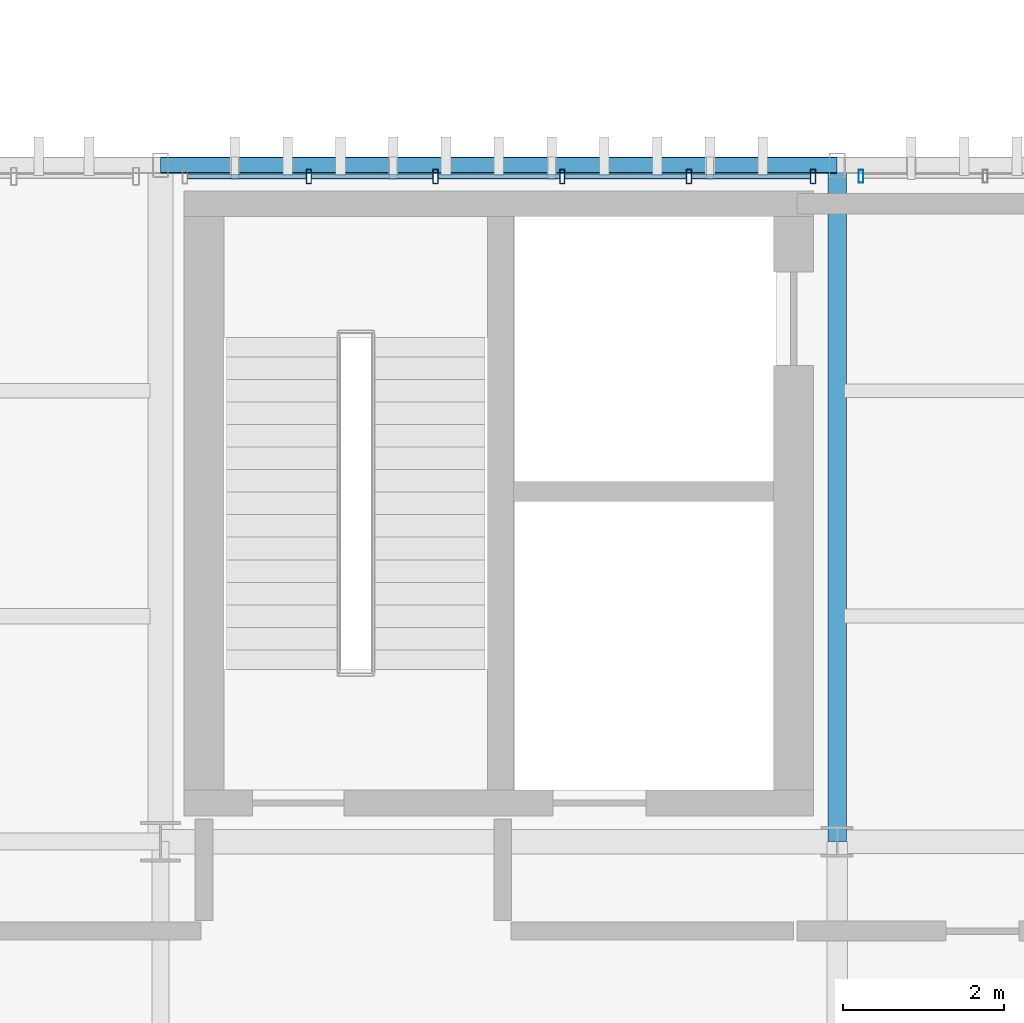
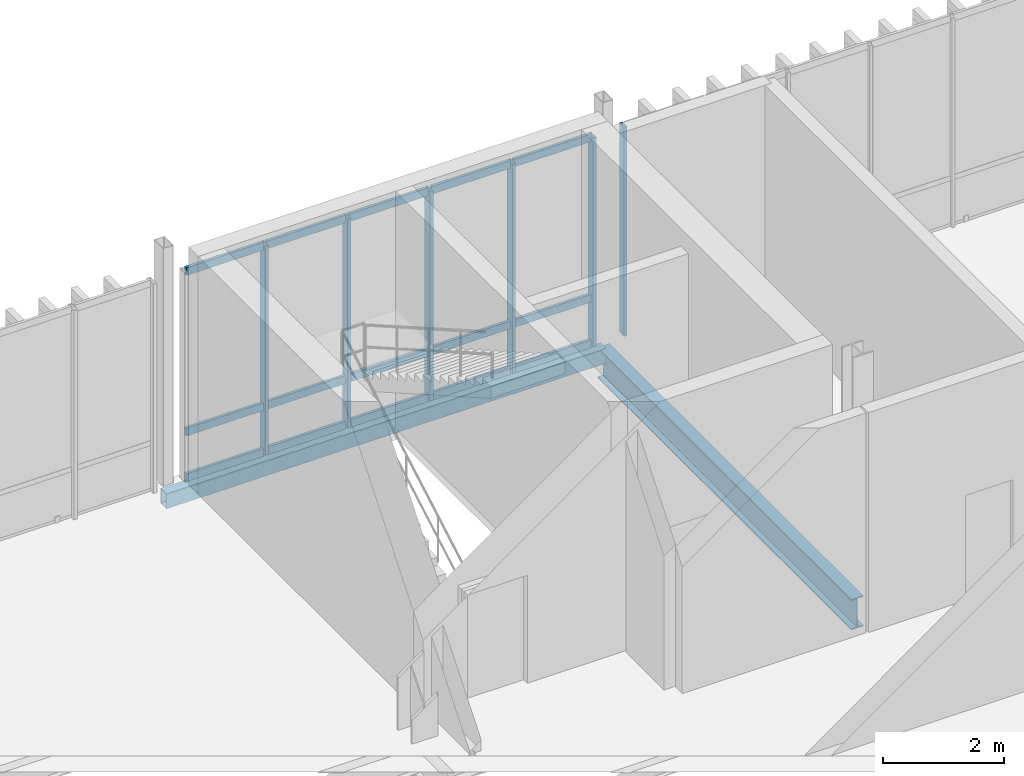
# One storey, part 30 of 109: 21 members, 2 beams, 2 elements without a shape of their own.
"""IFC4 building model written with IfcOpenShell, lengths in metres."""

from ifc_helpers import new_model, si_unit, direction, frame, origin_with_axes, origin_2d_with_axis, place, context, subcontext, project, spatial, hollow_rectangle, i_section, extrude, material, material_profile, profile_set, type_object, element, aggregate, save


model = new_model("IFC4")

# Units and contexts
model_context = context("Model", 3, precision=1e-05, world=origin_with_axes(), true_north=direction((0.0, 1.0)))
body_context = subcontext(model_context, "Body", "Model", "MODEL_VIEW")
ifc_project = project(units=[si_unit("LENGTHUNIT", "METRE"), si_unit("AREAUNIT", "SQUARE_METRE"), si_unit("VOLUMEUNIT", "CUBIC_METRE"), si_unit("PLANEANGLEUNIT", "RADIAN"), si_unit("MASSUNIT", "GRAM", prefix="KILO"), si_unit("THERMODYNAMICTEMPERATUREUNIT", "KELVIN")], contexts=[model_context])

# Site, building, storey
site_placement = place(None, origin_with_axes())
site = spatial("IfcSite", under=ifc_project, at=site_placement, CompositionType="ELEMENT")
building_placement = place(site_placement, origin_with_axes())
building = spatial("IfcBuilding", under=site, at=building_placement, Name="Montbau Bow Law Courts", CompositionType="ELEMENT")
storey_placement = place(building_placement, frame((0.0, 0.0, 10.8), z_axis=(0.0, 0.0, 1.0), x_axis=(1.0, 0.0, 0.0)))
storey = spatial("IfcBuildingStorey", under=building, at=storey_placement, Name="L02", CompositionType="ELEMENT", Elevation=10.8)

# Beams
ifc_material_1 = material(Name="Steel CSA G40.21 Grade 350W (350 MPa)", Category="steel")
ifc_material_profile_1 = material_profile(ifc_material_1, i_section(OverallWidth=0.229, OverallDepth=0.612, WebThickness=0.0119, FlangeThickness=0.0196, at=origin_2d_with_axis()), Name="W610X125", Category="Main", Priority=0)
ifc_profile_set_1 = profile_set([ifc_material_profile_1], Name="Steel CSA G40.21 Grade 350W (350 MPa)")
beam_type_1 = type_object("IfcBeamType", Name="B-FLR-05", PredefinedType="BEAM", material=ifc_profile_set_1)
beam_1_placement = place(None, frame((22.2, 46.2, 10.274), z_axis=(0.0, 1.0, 0.0), x_axis=(-1.0, 0.0, 0.0)))
element("IfcBeam", 1, at=beam_1_placement, inside=storey, type_object=beam_type_1, Name="BM-L02-S0573:bm2_0576", PredefinedType="BEAM", context=body_context, shape_type="SweptSolid", body=[
    extrude(i_section(OverallWidth=0.229, OverallDepth=0.612, WebThickness=0.0119, FlangeThickness=0.0196, at=origin_2d_with_axis()), origin_with_axes(), (0.0, 0.0, 1.0), 8.4),
])
ifc_material_2 = material(Name="Steel CSA G40.21 Grade 350WT (350 MPa)", Category="steel")
ifc_material_profile_2 = material_profile(ifc_material_2, hollow_rectangle(XDim=0.203, YDim=0.305, WallThickness=0.0127, InnerFilletRadius=0.0254, OuterFilletRadius=0.0127, at=origin_2d_with_axis()), Name="HSS305X203X13", Category="Main", Priority=0)
ifc_profile_set_2 = profile_set([ifc_material_profile_2], Name="Steel CSA G40.21 Grade 350WT (350 MPa)")
beam_type_2 = type_object("IfcBeamType", Name="B-SPN-02", PredefinedType="SPANDREL", material=ifc_profile_set_2)
beam_2_placement = place(None, frame((13.8, 54.6, 10.428), z_axis=(1.0, 0.0, 0.0), x_axis=(0.0, 1.0, 0.0)))
element("IfcBeam", 2, at=beam_2_placement, inside=storey, type_object=beam_type_2, Name="SPN-L02-S0562:bm2_0565", PredefinedType="SPANDREL", context=body_context, shape_type="SweptSolid", body=[
    extrude(hollow_rectangle(XDim=0.203, YDim=0.305, WallThickness=0.0127, InnerFilletRadius=0.0254, OuterFilletRadius=0.0127, at=origin_2d_with_axis()), origin_with_axes(), (0.0, 0.0, 1.0), 8.4),
])

# Curtain wall, members
ifc_material_3 = material(Name="Thermally Broken Extruded Aluminium AA 6063-T6", Category="aluminium")
curtain_wall_type = type_object("IfcCurtainWallType", Name="CW-TRC-01", PredefinedType="NOTDEFINED", material=ifc_material_3)
curtain_wall_1_placement = place(None, frame((14.068, 54.46, 10.8), z_axis=(0.0, 0.0, 1.0), x_axis=(1.0, 0.0, 0.0)))
curtain_wall_1 = element("IfcCurtainWall", 3, at=curtain_wall_1_placement, inside=storey, type_object=curtain_wall_type, Name="CW-L02-040:cw_0040", PredefinedType="NOTDEFINED")
ifc_material_profile_3 = material_profile(ifc_material_3, hollow_rectangle(XDim=0.065, YDim=0.18, WallThickness=0.005, InnerFilletRadius=0.01, OuterFilletRadius=0.005, at=origin_2d_with_axis()), Name="CWM-180X65", Category="Main", Priority=0)
ifc_profile_set_3 = profile_set([ifc_material_profile_3], Name="Thermally Broken Extruded Aluminium AA 6063-T6")
member_type_1 = type_object("IfcMemberType", Name="M-MUL-02", PredefinedType="MULLION", material=ifc_profile_set_3)
member_1_placement = place(None, frame((15.641, 54.46, 10.8), z_axis=(0.0, 0.0, 1.0), x_axis=(1.0, 0.0, 0.0)))
member_1 = element("IfcMember", 4, at=member_1_placement, type_object=member_type_1, Name="CW-L02-040-M02:cw_0040_M02", PredefinedType="MULLION", context=body_context, shape_type="SweptSolid", body=[
    extrude(hollow_rectangle(XDim=0.065, YDim=0.18, WallThickness=0.005, InnerFilletRadius=0.01, OuterFilletRadius=0.005, at=origin_2d_with_axis()), origin_with_axes(), (0.0, 0.0, 1.0), 4.22),
])
member_2_placement = place(None, frame((17.214, 54.46, 10.8), z_axis=(0.0, 0.0, 1.0), x_axis=(1.0, 0.0, 0.0)))
member_2 = element("IfcMember", 5, at=member_2_placement, type_object=member_type_1, Name="CW-L02-040-M03:cw_0040_M03", PredefinedType="MULLION", context=body_context, shape_type="SweptSolid", body=[
    extrude(hollow_rectangle(XDim=0.065, YDim=0.18, WallThickness=0.005, InnerFilletRadius=0.01, OuterFilletRadius=0.005, at=origin_2d_with_axis()), origin_with_axes(), (0.0, 0.0, 1.0), 4.22),
])
member_3_placement = place(None, frame((18.787, 54.46, 10.8), z_axis=(0.0, 0.0, 1.0), x_axis=(1.0, 0.0, 0.0)))
member_3 = element("IfcMember", 6, at=member_3_placement, type_object=member_type_1, Name="CW-L02-040-M04:cw_0040_M04", PredefinedType="MULLION", context=body_context, shape_type="SweptSolid", body=[
    extrude(hollow_rectangle(XDim=0.065, YDim=0.18, WallThickness=0.005, InnerFilletRadius=0.01, OuterFilletRadius=0.005, at=origin_2d_with_axis()), origin_with_axes(), (0.0, 0.0, 1.0), 4.22),
])
member_4_placement = place(None, frame((20.36, 54.46, 10.8), z_axis=(0.0, 0.0, 1.0), x_axis=(1.0, 0.0, 0.0)))
member_4 = element("IfcMember", 7, at=member_4_placement, type_object=member_type_1, Name="CW-L02-040-M05:cw_0040_M05", PredefinedType="MULLION", context=body_context, shape_type="SweptSolid", body=[
    extrude(hollow_rectangle(XDim=0.065, YDim=0.18, WallThickness=0.005, InnerFilletRadius=0.01, OuterFilletRadius=0.005, at=origin_2d_with_axis()), origin_with_axes(), (0.0, 0.0, 1.0), 4.22),
])
member_5_placement = place(None, frame((21.901, 54.46, 10.8), z_axis=(0.0, 0.0, 1.0), x_axis=(1.0, 0.0, 0.0)))
member_5 = element("IfcMember", 8, at=member_5_placement, type_object=member_type_1, Name="CW-L02-040-M06:cw_0040_M06", PredefinedType="MULLION", context=body_context, shape_type="SweptSolid", body=[
    extrude(hollow_rectangle(XDim=0.065, YDim=0.18, WallThickness=0.005, InnerFilletRadius=0.01, OuterFilletRadius=0.005, at=origin_2d_with_axis()), origin_with_axes(), (0.0, 0.0, 1.0), 4.22),
])

# Curtain wall, member
curtain_wall_2_placement = place(None, frame((22.467, 54.46, 10.8), z_axis=(0.0, 0.0, 1.0), x_axis=(1.0, 0.0, 0.0)))
curtain_wall_2 = element("IfcCurtainWall", 9, at=curtain_wall_2_placement, inside=storey, type_object=curtain_wall_type, Name="CW-L02-041:cw_0041", PredefinedType="NOTDEFINED")
ifc_material_profile_4 = material_profile(ifc_material_3, hollow_rectangle(XDim=0.06, YDim=0.16, WallThickness=0.004, InnerFilletRadius=0.008, OuterFilletRadius=0.004, at=origin_2d_with_axis()), Name="CWM-160X60", Category="Main", Priority=0)
ifc_profile_set_4 = profile_set([ifc_material_profile_4], Name="Thermally Broken Extruded Aluminium AA 6063-T6")
member_type_2 = type_object("IfcMemberType", Name="M-MUL-03", PredefinedType="MULLION", material=ifc_profile_set_4)
member_6_placement = place(None, frame((22.497, 54.46, 10.8), z_axis=(0.0, 0.0, 1.0), x_axis=(1.0, 0.0, 0.0)))
member_6 = element("IfcMember", 10, at=member_6_placement, type_object=member_type_2, Name="CW-L02-041-M01:cw_0041_M01", PredefinedType="MULLION", context=body_context, shape_type="SweptSolid", body=[
    extrude(hollow_rectangle(XDim=0.06, YDim=0.16, WallThickness=0.004, InnerFilletRadius=0.008, OuterFilletRadius=0.004, at=origin_2d_with_axis()), origin_with_axes(), (0.0, 0.0, 1.0), 4.22),
])
aggregate(curtain_wall_2, [member_6])

# Member
ifc_material_profile_5 = material_profile(ifc_material_3, hollow_rectangle(XDim=0.06, YDim=0.16, WallThickness=0.004, InnerFilletRadius=0.008, OuterFilletRadius=0.004, at=origin_2d_with_axis()), Name="CWT-160X60", Category="Main", Priority=0)
ifc_profile_set_5 = profile_set([ifc_material_profile_5], Name="Thermally Broken Extruded Aluminium AA 6063-T6")
member_type_3 = type_object("IfcMemberType", Name="M-TRN-01", PredefinedType="USERDEFINED", material=ifc_profile_set_5)
member_7_placement = place(None, frame((14.136, 54.46, 10.83), z_axis=(1.0, 0.0, 0.0), x_axis=(0.0, 1.0, 0.0)))
member_7 = element("IfcMember", 11, at=member_7_placement, type_object=member_type_3, Name="CW-L02-040-T01-1:cw_0040_T01_1", ObjectType="TRANSOM", PredefinedType="USERDEFINED", context=body_context, shape_type="SweptSolid", body=[
    extrude(hollow_rectangle(XDim=0.06, YDim=0.16, WallThickness=0.004, InnerFilletRadius=0.008, OuterFilletRadius=0.004, at=origin_2d_with_axis()), origin_with_axes(), (0.0, 0.0, 1.0), 1.47),
])

member_8_placement = place(None, frame((14.136, 54.46, 11.75), z_axis=(1.0, 0.0, 0.0), x_axis=(0.0, 1.0, 0.0)))
member_8 = element("IfcMember", 12, at=member_8_placement, type_object=member_type_3, Name="CW-L02-040-T01-2:cw_0040_T01_2", ObjectType="TRANSOM", PredefinedType="USERDEFINED", context=body_context, shape_type="SweptSolid", body=[
    extrude(hollow_rectangle(XDim=0.06, YDim=0.16, WallThickness=0.004, InnerFilletRadius=0.008, OuterFilletRadius=0.004, at=origin_2d_with_axis()), origin_with_axes(), (0.0, 0.0, 1.0), 1.47),
])

member_9_placement = place(None, frame((14.136, 54.46, 14.99), z_axis=(1.0, 0.0, 0.0), x_axis=(0.0, 1.0, 0.0)))
member_9 = element("IfcMember", 13, at=member_9_placement, type_object=member_type_3, Name="CW-L02-040-T01-3:cw_0040_T01_3", ObjectType="TRANSOM", PredefinedType="USERDEFINED", context=body_context, shape_type="SweptSolid", body=[
    extrude(hollow_rectangle(XDim=0.06, YDim=0.16, WallThickness=0.004, InnerFilletRadius=0.008, OuterFilletRadius=0.004, at=origin_2d_with_axis()), origin_with_axes(), (0.0, 0.0, 1.0), 1.47),
])

member_10_placement = place(None, frame((15.675, 54.46, 10.83), z_axis=(1.0, 0.0, 0.0), x_axis=(0.0, 1.0, 0.0)))
member_10 = element("IfcMember", 14, at=member_10_placement, type_object=member_type_3, Name="CW-L02-040-T02-1:cw_0040_T02_1", ObjectType="TRANSOM", PredefinedType="USERDEFINED", context=body_context, shape_type="SweptSolid", body=[
    extrude(hollow_rectangle(XDim=0.06, YDim=0.16, WallThickness=0.004, InnerFilletRadius=0.008, OuterFilletRadius=0.004, at=origin_2d_with_axis()), origin_with_axes(), (0.0, 0.0, 1.0), 1.504),
])

member_11_placement = place(None, frame((15.675, 54.46, 11.75), z_axis=(1.0, 0.0, 0.0), x_axis=(0.0, 1.0, 0.0)))
member_11 = element("IfcMember", 15, at=member_11_placement, type_object=member_type_3, Name="CW-L02-040-T02-2:cw_0040_T02_2", ObjectType="TRANSOM", PredefinedType="USERDEFINED", context=body_context, shape_type="SweptSolid", body=[
    extrude(hollow_rectangle(XDim=0.06, YDim=0.16, WallThickness=0.004, InnerFilletRadius=0.008, OuterFilletRadius=0.004, at=origin_2d_with_axis()), origin_with_axes(), (0.0, 0.0, 1.0), 1.504),
])

member_12_placement = place(None, frame((15.675, 54.46, 14.99), z_axis=(1.0, 0.0, 0.0), x_axis=(0.0, 1.0, 0.0)))
member_12 = element("IfcMember", 16, at=member_12_placement, type_object=member_type_3, Name="CW-L02-040-T02-3:cw_0040_T02_3", ObjectType="TRANSOM", PredefinedType="USERDEFINED", context=body_context, shape_type="SweptSolid", body=[
    extrude(hollow_rectangle(XDim=0.06, YDim=0.16, WallThickness=0.004, InnerFilletRadius=0.008, OuterFilletRadius=0.004, at=origin_2d_with_axis()), origin_with_axes(), (0.0, 0.0, 1.0), 1.504),
])

member_13_placement = place(None, frame((17.248, 54.46, 10.83), z_axis=(1.0, 0.0, 0.0), x_axis=(0.0, 1.0, 0.0)))
member_13 = element("IfcMember", 17, at=member_13_placement, type_object=member_type_3, Name="CW-L02-040-T03-1:cw_0040_T03_1", ObjectType="TRANSOM", PredefinedType="USERDEFINED", context=body_context, shape_type="SweptSolid", body=[
    extrude(hollow_rectangle(XDim=0.06, YDim=0.16, WallThickness=0.004, InnerFilletRadius=0.008, OuterFilletRadius=0.004, at=origin_2d_with_axis()), origin_with_axes(), (0.0, 0.0, 1.0), 1.505),
])

member_14_placement = place(None, frame((17.248, 54.46, 11.75), z_axis=(1.0, 0.0, 0.0), x_axis=(0.0, 1.0, 0.0)))
member_14 = element("IfcMember", 18, at=member_14_placement, type_object=member_type_3, Name="CW-L02-040-T03-2:cw_0040_T03_2", ObjectType="TRANSOM", PredefinedType="USERDEFINED", context=body_context, shape_type="SweptSolid", body=[
    extrude(hollow_rectangle(XDim=0.06, YDim=0.16, WallThickness=0.004, InnerFilletRadius=0.008, OuterFilletRadius=0.004, at=origin_2d_with_axis()), origin_with_axes(), (0.0, 0.0, 1.0), 1.505),
])

member_15_placement = place(None, frame((17.248, 54.46, 14.99), z_axis=(1.0, 0.0, 0.0), x_axis=(0.0, 1.0, 0.0)))
member_15 = element("IfcMember", 19, at=member_15_placement, type_object=member_type_3, Name="CW-L02-040-T03-3:cw_0040_T03_3", ObjectType="TRANSOM", PredefinedType="USERDEFINED", context=body_context, shape_type="SweptSolid", body=[
    extrude(hollow_rectangle(XDim=0.06, YDim=0.16, WallThickness=0.004, InnerFilletRadius=0.008, OuterFilletRadius=0.004, at=origin_2d_with_axis()), origin_with_axes(), (0.0, 0.0, 1.0), 1.505),
])

member_16_placement = place(None, frame((18.821, 54.46, 10.83), z_axis=(1.0, 0.0, 0.0), x_axis=(0.0, 1.0, 0.0)))
member_16 = element("IfcMember", 20, at=member_16_placement, type_object=member_type_3, Name="CW-L02-040-T04-1:cw_0040_T04_1", ObjectType="TRANSOM", PredefinedType="USERDEFINED", context=body_context, shape_type="SweptSolid", body=[
    extrude(hollow_rectangle(XDim=0.06, YDim=0.16, WallThickness=0.004, InnerFilletRadius=0.008, OuterFilletRadius=0.004, at=origin_2d_with_axis()), origin_with_axes(), (0.0, 0.0, 1.0), 1.505),
])

member_17_placement = place(None, frame((18.821, 54.46, 11.75), z_axis=(1.0, 0.0, 0.0), x_axis=(0.0, 1.0, 0.0)))
member_17 = element("IfcMember", 21, at=member_17_placement, type_object=member_type_3, Name="CW-L02-040-T04-2:cw_0040_T04_2", ObjectType="TRANSOM", PredefinedType="USERDEFINED", context=body_context, shape_type="SweptSolid", body=[
    extrude(hollow_rectangle(XDim=0.06, YDim=0.16, WallThickness=0.004, InnerFilletRadius=0.008, OuterFilletRadius=0.004, at=origin_2d_with_axis()), origin_with_axes(), (0.0, 0.0, 1.0), 1.505),
])

member_18_placement = place(None, frame((18.821, 54.46, 14.99), z_axis=(1.0, 0.0, 0.0), x_axis=(0.0, 1.0, 0.0)))
member_18 = element("IfcMember", 22, at=member_18_placement, type_object=member_type_3, Name="CW-L02-040-T04-3:cw_0040_T04_3", ObjectType="TRANSOM", PredefinedType="USERDEFINED", context=body_context, shape_type="SweptSolid", body=[
    extrude(hollow_rectangle(XDim=0.06, YDim=0.16, WallThickness=0.004, InnerFilletRadius=0.008, OuterFilletRadius=0.004, at=origin_2d_with_axis()), origin_with_axes(), (0.0, 0.0, 1.0), 1.505),
])

member_19_placement = place(None, frame((20.394, 54.46, 10.83), z_axis=(1.0, 0.0, 0.0), x_axis=(0.0, 1.0, 0.0)))
member_19 = element("IfcMember", 23, at=member_19_placement, type_object=member_type_3, Name="CW-L02-040-T05-1:cw_0040_T05_1", ObjectType="TRANSOM", PredefinedType="USERDEFINED", context=body_context, shape_type="SweptSolid", body=[
    extrude(hollow_rectangle(XDim=0.06, YDim=0.16, WallThickness=0.004, InnerFilletRadius=0.008, OuterFilletRadius=0.004, at=origin_2d_with_axis()), origin_with_axes(), (0.0, 0.0, 1.0), 1.473),
])

member_20_placement = place(None, frame((20.394, 54.46, 11.75), z_axis=(1.0, 0.0, 0.0), x_axis=(0.0, 1.0, 0.0)))
member_20 = element("IfcMember", 24, at=member_20_placement, type_object=member_type_3, Name="CW-L02-040-T05-2:cw_0040_T05_2", ObjectType="TRANSOM", PredefinedType="USERDEFINED", context=body_context, shape_type="SweptSolid", body=[
    extrude(hollow_rectangle(XDim=0.06, YDim=0.16, WallThickness=0.004, InnerFilletRadius=0.008, OuterFilletRadius=0.004, at=origin_2d_with_axis()), origin_with_axes(), (0.0, 0.0, 1.0), 1.473),
])

member_21_placement = place(None, frame((20.394, 54.46, 14.99), z_axis=(1.0, 0.0, 0.0), x_axis=(0.0, 1.0, 0.0)))
member_21 = element("IfcMember", 25, at=member_21_placement, type_object=member_type_3, Name="CW-L02-040-T05-3:cw_0040_T05_3", ObjectType="TRANSOM", PredefinedType="USERDEFINED", context=body_context, shape_type="SweptSolid", body=[
    extrude(hollow_rectangle(XDim=0.06, YDim=0.16, WallThickness=0.004, InnerFilletRadius=0.008, OuterFilletRadius=0.004, at=origin_2d_with_axis()), origin_with_axes(), (0.0, 0.0, 1.0), 1.473),
])

aggregate(curtain_wall_1, [member_1, member_2, member_3, member_4, member_5, member_7, member_8, member_9, member_10, member_11, member_12, member_13, member_14, member_15, member_16, member_17, member_18, member_19, member_20, member_21])

save(model, "model.ifc")
